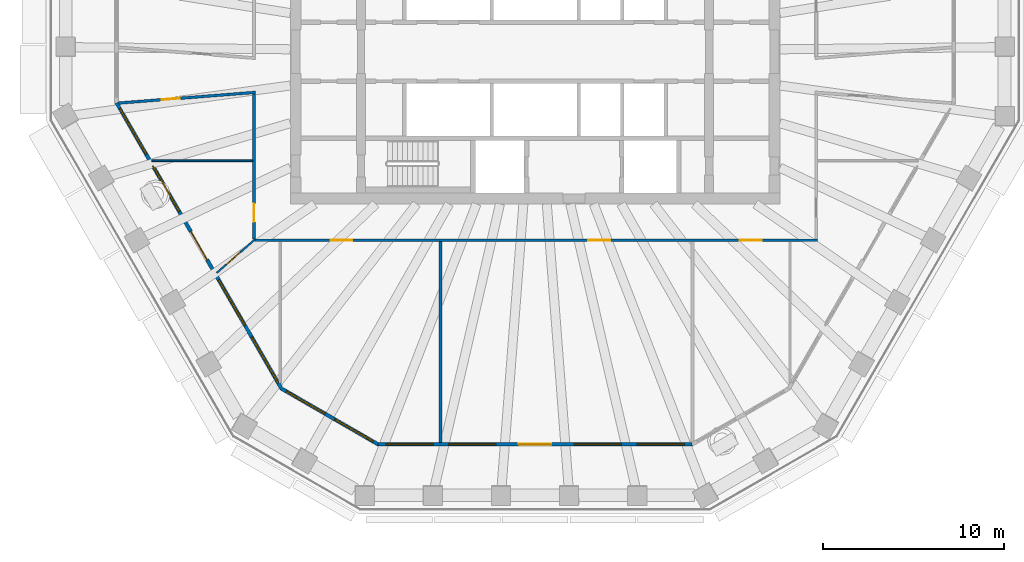
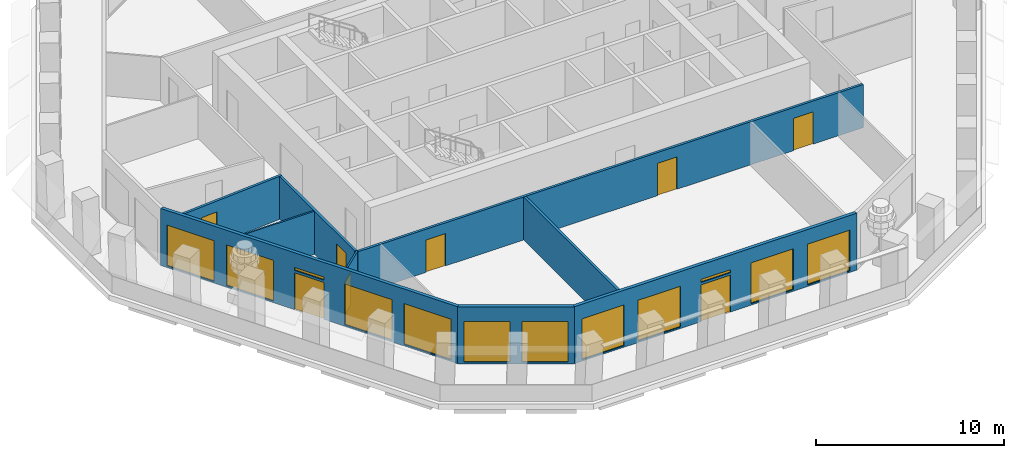
# One storey, part 3 of 12: 12 windows, 9 walls, 8 doors, 20 openings.
"""IFC4 building model written with IfcOpenShell, lengths in metres."""

from ifc_helpers import new_model, si_unit, direction, frame, frame_2d, origin, place, context, subcontext, project, spatial, polyline, rectangle, outline, extrude, material, layer, layer_set, type_object, element, fill, save


model = new_model("IFC4")

# Units and contexts
model_context = context("Model", 3, precision=1e-05, world=origin(), true_north=direction((0.0, 1.0)))
body_context = subcontext(model_context, "Body", "Model", "MODEL_VIEW")
ifc_project = project(units=[si_unit("LENGTHUNIT", "METRE"), si_unit("AREAUNIT", "SQUARE_METRE"), si_unit("VOLUMEUNIT", "CUBIC_METRE"), si_unit("PLANEANGLEUNIT", "RADIAN"), si_unit("MASSUNIT", "GRAM", prefix="KILO")], contexts=[model_context])

# Site, building, storey
site_placement = place(None, origin())
site = spatial("IfcSite", under=ifc_project, at=site_placement, CompositionType="ELEMENT")
building_placement = place(site_placement, origin())
building = spatial("IfcBuilding", under=site, at=building_placement, Name="Frailejon Research Tower", CompositionType="ELEMENT")
storey_placement = place(building_placement, frame((0.0, 0.0, 219.39990234375)))
storey = spatial("IfcBuildingStorey", under=building, at=storey_placement, Name="L47", CompositionType="ELEMENT", Elevation=219.39990234375)

# Wall, opening, door
ifc_material_1 = material(Name="Gypsum board and masonry partition", Category="masonry")
ifc_layer_1 = layer(ifc_material_1, 0.14990234375)
ifc_layer_set_1 = layer_set([ifc_layer_1], Name="Corridor wall EI 60, gypsum on steel studs 150")
wall_type_1 = type_object("IfcWallType", Name="Corridor wall EI 60, gypsum on steel studs 150", PredefinedType="PARTITIONING", material=ifc_layer_set_1)
wall_1_placement = place(storey_placement, frame((-15.5, -10.324951171875, 0.0), z_axis=(0.0, 0.0, 1.0), x_axis=(0.0, 1.0, 0.0)))
wall_1 = element("IfcWall", 1, at=wall_1_placement, inside=storey, type_object=wall_type_1, Name="T:IW:L47:004", PredefinedType="PARTITIONING", context=body_context, shape_type="SweptSolid", body=[
    extrude(rectangle(XDim=7.999755859375, YDim=0.14990234375, at=frame_2d((4.0, 0.0))), origin(), (0.0, 0.0, 1.0), 2.800048828125),
])
opening_1_placement = place(wall_1_placement, frame((0.947265625, 0.0, 0.0)))
opening_1 = element("IfcOpeningElement", 2, at=opening_1_placement, cuts=wall_1, Name="Opening D1969", PredefinedType="OPENING", context=body_context, shape_type="SweptSolid", body=[
    extrude(rectangle(XDim=1.0, YDim=2.10009765625, at=frame_2d((0.5, 1.050048828125))), frame((0.0, 0.0849609375, 0.0), z_axis=(0.0, -1.0, 0.0), x_axis=(1.0, 0.0, 0.0)), (0.0, 0.0, 1.0), 0.169921875),
])
ifc_material_2 = material(Name="Timber door leaf", Category="wood")
door_type_1 = type_object("IfcDoorType", Name="Door single leaf, timber, steel frame 1000", OperationType="NOTDEFINED", PredefinedType="DOOR", material=ifc_material_2)
door_1_placement = place(opening_1_placement, origin())
door_1 = element("IfcDoor", 3, at=door_1_placement, inside=storey, type_object=door_type_1, Name="D1969", OperationType="SINGLE_SWING_LEFT", OverallHeight=2.10009765625, OverallWidth=1.0, PredefinedType="DOOR", context=body_context, shape_type="SweptSolid", body=[
    extrude(rectangle(XDim=1.0, YDim=2.10009765625, at=frame_2d((0.5, 1.050048828125))), frame((0.0, 0.02490234375, 0.0), z_axis=(0.0, -1.0, 0.0), x_axis=(1.0, 0.0, 0.0)), (0.0, 0.0, 1.0), 0.050048828125),
])
fill(opening_1, door_1)

# Wall, openings, doors
wall_2_placement = place(storey_placement, frame((-15.449951171875, -10.39990234375, 0.0), z_axis=(0.0, 0.0, 1.0), x_axis=(1.0, 0.0, 0.0)))
wall_2 = element("IfcWall", 4, at=wall_2_placement, inside=storey, type_object=wall_type_1, Name="T:IW:L47:006", PredefinedType="PARTITIONING", context=body_context, shape_type="SweptSolid", body=[
    extrude(rectangle(XDim=31.02490234375, YDim=0.14990234375, at=frame_2d((15.512451171875, 0.0))), origin(), (0.0, 0.0, 1.0), 2.800048828125),
])
opening_2_placement = place(wall_2_placement, frame((4.172607421875, 0.0, 0.0)))
opening_2 = element("IfcOpeningElement", 5, at=opening_2_placement, cuts=wall_2, Name="Opening D1971", PredefinedType="OPENING", context=body_context, shape_type="SweptSolid", body=[
    extrude(rectangle(XDim=1.199951171875, YDim=2.10009765625, at=frame_2d((0.60009765625, 1.050048828125))), frame((0.0, 0.0849609375, 0.0), z_axis=(0.0, -1.0, 0.0), x_axis=(1.0, 0.0, 0.0)), (0.0, 0.0, 1.0), 0.169921875),
])
opening_3_placement = place(wall_2_placement, frame((18.38623046875, 0.0, 0.0)))
opening_3 = element("IfcOpeningElement", 6, at=opening_3_placement, cuts=wall_2, Name="Opening D1972", PredefinedType="OPENING", context=body_context, shape_type="SweptSolid", body=[
    extrude(rectangle(XDim=1.199951171875, YDim=2.10009765625, at=frame_2d((0.60009765625, 1.050048828125))), frame((0.0, 0.0849609375, 0.0), z_axis=(0.0, -1.0, 0.0), x_axis=(1.0, 0.0, 0.0)), (0.0, 0.0, 1.0), 0.169921875),
])
opening_4_placement = place(wall_2_placement, frame((26.743408203125, 0.0, 0.0)))
opening_4 = element("IfcOpeningElement", 7, at=opening_4_placement, cuts=wall_2, Name="Opening D1973", PredefinedType="OPENING", context=body_context, shape_type="SweptSolid", body=[
    extrude(rectangle(XDim=1.199951171875, YDim=2.10009765625, at=frame_2d((0.60009765625, 1.050048828125))), frame((0.0, 0.0849609375, 0.0), z_axis=(0.0, -1.0, 0.0), x_axis=(1.0, 0.0, 0.0)), (0.0, 0.0, 1.0), 0.169921875),
])
ifc_material_3 = material(Name="Timber door leaf", Category="wood")
door_type_2 = type_object("IfcDoorType", Name="Door laboratory, timber, vision panel 1200", OperationType="NOTDEFINED", PredefinedType="DOOR", material=ifc_material_3)
door_2_placement = place(opening_3_placement, origin())
door_2 = element("IfcDoor", 8, at=door_2_placement, inside=storey, type_object=door_type_2, Name="D1972", OperationType="DOUBLE_DOOR_SINGLE_SWING", OverallHeight=2.10009765625, OverallWidth=1.199951171875, PredefinedType="DOOR", context=body_context, shape_type="SweptSolid", body=[
    extrude(rectangle(XDim=1.199951171875, YDim=2.10009765625, at=frame_2d((0.60009765625, 1.050048828125))), frame((0.0, 0.02490234375, 0.0), z_axis=(0.0, -1.0, 0.0), x_axis=(1.0, 0.0, 0.0)), (0.0, 0.0, 1.0), 0.050048828125),
])
fill(opening_3, door_2)
ifc_material_4 = material(Name="Timber door leaf", Category="wood")
door_type_3 = type_object("IfcDoorType", Name="Door single leaf, timber, steel frame 1200", OperationType="NOTDEFINED", PredefinedType="DOOR", material=ifc_material_4)
door_3_placement = place(opening_2_placement, origin())
door_3 = element("IfcDoor", 9, at=door_3_placement, inside=storey, type_object=door_type_3, Name="D1971", OperationType="DOUBLE_DOOR_SINGLE_SWING", OverallHeight=2.10009765625, OverallWidth=1.199951171875, PredefinedType="DOOR", context=body_context, shape_type="SweptSolid", body=[
    extrude(rectangle(XDim=1.199951171875, YDim=2.10009765625, at=frame_2d((0.60009765625, 1.050048828125))), frame((0.0, 0.02490234375, 0.0), z_axis=(0.0, -1.0, 0.0), x_axis=(1.0, 0.0, 0.0)), (0.0, 0.0, 1.0), 0.050048828125),
])
fill(opening_2, door_3)
door_4_placement = place(opening_4_placement, origin())
door_4 = element("IfcDoor", 10, at=door_4_placement, inside=storey, type_object=door_type_3, Name="D1973", OperationType="DOUBLE_DOOR_SINGLE_SWING", OverallHeight=2.10009765625, OverallWidth=1.199951171875, PredefinedType="DOOR", context=body_context, shape_type="SweptSolid", body=[
    extrude(rectangle(XDim=1.199951171875, YDim=2.10009765625, at=frame_2d((0.60009765625, 1.050048828125))), frame((0.0, 0.02490234375, 0.0), z_axis=(0.0, -1.0, 0.0), x_axis=(1.0, 0.0, 0.0)), (0.0, 0.0, 1.0), 0.050048828125),
])
fill(opening_4, door_4)

# Wall, opening, door
wall_3_placement = place(storey_placement, frame((-22.95849609375, -2.83447265625, 0.0), z_axis=(0.0, 0.0, 1.0), x_axis=(0.996946126236, 0.078092390041, 0.0)))
wall_3 = element("IfcWall", 11, at=wall_3_placement, inside=storey, type_object=wall_type_1, Name="T:IW:L47:008", PredefinedType="PARTITIONING", context=body_context, shape_type="SweptSolid", body=[
    extrude(rectangle(XDim=7.556396484375, YDim=0.14990234375, at=frame_2d((3.7783203125, 0.0))), origin(), (0.0, 0.0, 1.0), 2.800048828125),
])
opening_5_placement = place(wall_3_placement, frame((2.37353515625, 0.0, 0.0)))
opening_5 = element("IfcOpeningElement", 12, at=opening_5_placement, cuts=wall_3, Name="Opening D1968", PredefinedType="OPENING", context=body_context, shape_type="SweptSolid", body=[
    extrude(rectangle(XDim=1.0, YDim=2.10009765625, at=frame_2d((0.5, 1.050048828125))), frame((0.0, 0.0849609375, 0.0), z_axis=(0.0, -1.0, 0.0), x_axis=(1.0, 0.0, 0.0)), (0.0, 0.0, 1.0), 0.169921875),
])
door_5_placement = place(opening_5_placement, origin())
door_5 = element("IfcDoor", 13, at=door_5_placement, inside=storey, type_object=door_type_1, Name="D1968", OperationType="SINGLE_SWING_RIGHT", OverallHeight=2.10009765625, OverallWidth=1.0, PredefinedType="DOOR", context=body_context, shape_type="SweptSolid", body=[
    extrude(rectangle(XDim=1.0, YDim=2.10009765625, at=frame_2d((0.5, 1.050048828125))), frame((0.0, 0.02490234375, 0.0), z_axis=(0.0, -1.0, 0.0), x_axis=(1.0, 0.0, 0.0)), (0.0, 0.0, 1.0), 0.050048828125),
])
fill(opening_5, door_5)

# Walls
ifc_material_5 = material(Name="Gypsum board and masonry partition", Category="masonry")
ifc_layer_2 = layer(ifc_material_5, 0.14990234375)
ifc_layer_set_2 = layer_set([ifc_layer_2], Name="Laboratory partition, blockwork 150")
wall_type_2 = type_object("IfcWallType", Name="Laboratory partition, blockwork 150", PredefinedType="PARTITIONING", material=ifc_layer_set_2)
wall_4_placement = place(storey_placement, frame((-5.210693359375, -21.551513671875, 0.0), z_axis=(0.0, 0.0, 1.0), x_axis=(0.0, 1.0, 0.0)))
element("IfcWall", 14, at=wall_4_placement, inside=storey, type_object=wall_type_2, Name="T:IW:L47:013", PredefinedType="PARTITIONING", context=body_context, shape_type="SweptSolid", body=[
    extrude(rectangle(XDim=11.076416015625, YDim=0.14990234375, at=frame_2d((5.5380859375, 0.0))), origin(), (0.0, 0.0, 1.0), 2.800048828125),
])
ifc_material_6 = material(Name="Gypsum board and masonry partition", Category="masonry")
ifc_layer_3 = layer(ifc_material_6, 0.10009765625)
ifc_layer_set_3 = layer_set([ifc_layer_3], Name="Partition, gypsum on steel studs 100")
wall_type_3 = type_object("IfcWallType", Name="Partition, gypsum on steel studs 100", PredefinedType="PARTITIONING", material=ifc_layer_set_3)
wall_5_placement = place(storey_placement, frame((-21.12451171875, -6.010986328125, 0.0), z_axis=(0.0, 0.0, 1.0), x_axis=(1.0, 0.0, 0.0)))
element("IfcWall", 15, at=wall_5_placement, inside=storey, type_object=wall_type_3, Name="T:IW:L47:018", PredefinedType="PARTITIONING", context=body_context, shape_type="SweptSolid", body=[
    extrude(rectangle(XDim=5.549560546875, YDim=0.10009765625, at=frame_2d((2.77490234375, 0.0))), origin(), (0.0, 0.0, 1.0), 2.800048828125),
])

# Wall, opening, door
wall_6_placement = place(storey_placement, frame((-17.55419921875, -12.195556640625, 0.0), z_axis=(0.0, 0.0, 1.0), x_axis=(0.752894909963, 0.658140755881, 0.0)))
wall_6 = element("IfcWall", 16, at=wall_6_placement, inside=storey, type_object=wall_type_3, Name="T:IW:L47:020", PredefinedType="PARTITIONING", context=body_context, shape_type="SweptSolid", body=[
    extrude(rectangle(XDim=2.80322265625, YDim=0.10009765625, at=frame_2d((1.401611328125, 0.0))), origin(), (0.0, 0.0, 1.0), 2.800048828125),
])
opening_6_placement = place(wall_6_placement, frame((0.7099609375, 0.0, 0.0)))
opening_6 = element("IfcOpeningElement", 17, at=opening_6_placement, cuts=wall_6, Name="Opening D1970", PredefinedType="OPENING", context=body_context, shape_type="SweptSolid", body=[
    extrude(rectangle(XDim=1.0, YDim=2.10009765625, at=frame_2d((0.5, 1.050048828125))), frame((0.0, 0.06005859375, 0.0), z_axis=(0.0, -1.0, 0.0), x_axis=(1.0, 0.0, 0.0)), (0.0, 0.0, 1.0), 0.1201171875),
])
door_6_placement = place(opening_6_placement, origin())
door_6 = element("IfcDoor", 18, at=door_6_placement, inside=storey, type_object=door_type_1, Name="D1970", OperationType="SINGLE_SWING_RIGHT", OverallHeight=2.10009765625, OverallWidth=1.0, PredefinedType="DOOR", context=body_context, shape_type="SweptSolid", body=[
    extrude(rectangle(XDim=1.0, YDim=2.10009765625, at=frame_2d((0.5, 1.050048828125))), frame((0.0, 0.02490234375, 0.0), z_axis=(0.0, -1.0, 0.0), x_axis=(1.0, 0.0, 0.0)), (0.0, 0.0, 1.0), 0.050048828125),
])
fill(opening_6, door_6)

# Wall, openings, door, windows
ifc_material_7 = material(Name="Concrete C40/50 precast window wall panel", Category="concrete")
ifc_layer_4 = layer(ifc_material_7, 0.199951171875)
ifc_layer_set_4 = layer_set([ifc_layer_4], Name="Window wall 200")
wall_type_4 = type_object("IfcWallType", Name="Window wall 200", PredefinedType="SOLIDWALL", material=ifc_layer_set_4)
wall_7_placement = place(storey_placement, frame((-23.07958984375, -2.8251953125, 0.0), z_axis=(0.0, 0.0, 1.0), x_axis=(0.500005605865, -0.866022167212, 0.0)))
wall_7 = element("IfcWall", 19, at=wall_7_placement, inside=storey, type_object=wall_type_4, Name="Exterior wall L47", PredefinedType="SOLIDWALL", context=body_context, shape_type="SweptSolid", body=[
    extrude(outline(polyline([(-0.02685546875, -0.10009765625), (0.986572265625, -0.10009765625), (1.999755859375, -0.10009765625), (3.01318359375, -0.10009765625), (4.0263671875, -0.10009765625), (5.039794921875, -0.10009765625), (6.05322265625, -0.10009765625), (7.06640625, -0.10009765625), (8.079833984375, -0.10009765625), (9.09326171875, -0.10009765625), (10.1064453125, -0.10009765625), (11.119873046875, -0.10009765625), (12.133056640625, -0.10009765625), (13.146484375, -0.10009765625), (14.159912109375, -0.10009765625), (15.173095703125, -0.10009765625), (16.1865234375, -0.10009765625), (17.19970703125, -0.10009765625), (18.213134765625, -0.10009765625), (18.159423828125, 0.10009765625), (17.152099609375, 0.10009765625), (16.144775390625, 0.10009765625), (15.13720703125, 0.10009765625), (14.1298828125, 0.10009765625), (13.12255859375, 0.10009765625), (12.115234375, 0.10009765625), (11.10791015625, 0.10009765625), (10.1005859375, 0.10009765625), (9.09326171875, 0.10009765625), (8.085693359375, 0.10009765625), (7.078369140625, 0.10009765625), (6.071044921875, 0.10009765625), (5.063720703125, 0.10009765625), (4.056396484375, 0.10009765625), (3.048828125, 0.10009765625), (2.04150390625, 0.10009765625), (1.0341796875, 0.10009765625), (0.02685546875, 0.10009765625), (-0.02685546875, -0.10009765625)])), origin(), (0.0, 0.0, 1.0), 3.7001953125),
])
opening_7_placement = place(wall_7_placement, frame((0.36865234375, 0.0, 0.10009765625)))
opening_7 = element("IfcOpeningElement", 20, at=opening_7_placement, cuts=wall_7, Name="Opening W20", PredefinedType="OPENING", context=body_context, shape_type="SweptSolid", body=[
    extrude(rectangle(XDim=2.89990234375, YDim=2.64990234375, at=frame_2d((1.449951171875, 1.324951171875))), frame((0.0, 0.10986328125, 0.0), z_axis=(0.0, -1.0, 0.0), x_axis=(1.0, 0.0, 0.0)), (0.0, 0.0, 1.0), 0.219970703125),
])
opening_8_placement = place(wall_7_placement, frame((4.005859375, 0.0, 0.10009765625)))
opening_8 = element("IfcOpeningElement", 21, at=opening_8_placement, cuts=wall_7, Name="Opening W20", PredefinedType="OPENING", context=body_context, shape_type="SweptSolid", body=[
    extrude(rectangle(XDim=2.89990234375, YDim=2.64990234375, at=frame_2d((1.449951171875, 1.324951171875))), frame((0.0, 0.10986328125, 0.0), z_axis=(0.0, -1.0, 0.0), x_axis=(1.0, 0.0, 0.0)), (0.0, 0.0, 1.0), 0.219970703125),
])
opening_9_placement = place(wall_7_placement, frame((8.193115234375, 0.0, 0.0)))
opening_9 = element("IfcOpeningElement", 22, at=opening_9_placement, cuts=wall_7, Name="Opening LG47-4", PredefinedType="OPENING", context=body_context, shape_type="SweptSolid", body=[
    extrude(rectangle(XDim=1.800048828125, YDim=2.39990234375, at=frame_2d((0.89990234375, 1.199951171875))), frame((0.0, 0.10986328125, 0.0), z_axis=(0.0, -1.0, 0.0), x_axis=(1.0, 0.0, 0.0)), (0.0, 0.0, 1.0), 0.219970703125),
])
opening_10_placement = place(wall_7_placement, frame((8.193115234375, 0.0, 2.550048828125)))
opening_10 = element("IfcOpeningElement", 23, at=opening_10_placement, cuts=wall_7, Name="Opening W19", PredefinedType="OPENING", context=body_context, shape_type="SweptSolid", body=[
    extrude(rectangle(XDim=1.800048828125, YDim=0.199951171875, at=frame_2d((0.89990234375, 0.10009765625))), frame((0.0, 0.10986328125, 0.0), z_axis=(0.0, -1.0, 0.0), x_axis=(1.0, 0.0, 0.0)), (0.0, 0.0, 1.0), 0.219970703125),
])
opening_11_placement = place(wall_7_placement, frame((11.280517578125, 0.0, 0.10009765625)))
opening_11 = element("IfcOpeningElement", 24, at=opening_11_placement, cuts=wall_7, Name="Opening W20", PredefinedType="OPENING", context=body_context, shape_type="SweptSolid", body=[
    extrude(rectangle(XDim=2.89990234375, YDim=2.64990234375, at=frame_2d((1.449951171875, 1.324951171875))), frame((0.0, 0.10986328125, 0.0), z_axis=(0.0, -1.0, 0.0), x_axis=(1.0, 0.0, 0.0)), (0.0, 0.0, 1.0), 0.219970703125),
])
opening_12_placement = place(wall_7_placement, frame((14.917724609375, 0.0, 0.10009765625)))
opening_12 = element("IfcOpeningElement", 25, at=opening_12_placement, cuts=wall_7, Name="Opening W20", PredefinedType="OPENING", context=body_context, shape_type="SweptSolid", body=[
    extrude(rectangle(XDim=2.89990234375, YDim=2.64990234375, at=frame_2d((1.449951171875, 1.324951171875))), frame((0.0, 0.10986328125, 0.0), z_axis=(0.0, -1.0, 0.0), x_axis=(1.0, 0.0, 0.0)), (0.0, 0.0, 1.0), 0.219970703125),
])
ifc_material_8 = material(Name="Aluminium framed glazed door leaf", Category="aluminium")
door_type_4 = type_object("IfcDoorType", Name="Loggia door 1800x2400", OperationType="DOUBLE_DOOR_SINGLE_SWING", PredefinedType="DOOR", material=ifc_material_8)
door_7_placement = place(opening_9_placement, origin())
door_7 = element("IfcDoor", 26, at=door_7_placement, inside=storey, type_object=door_type_4, Name="Door LG47-4", OperationType="DOUBLE_DOOR_SINGLE_SWING", OverallHeight=2.39990234375, OverallWidth=1.800048828125, PredefinedType="DOOR", context=body_context, shape_type="SweptSolid", body=[
    extrude(rectangle(XDim=1.800048828125, YDim=2.39990234375, at=frame_2d((0.89990234375, 1.199951171875))), frame((0.0, 0.02490234375, 0.0), z_axis=(0.0, -1.0, 0.0), x_axis=(1.0, 0.0, 0.0)), (0.0, 0.0, 1.0), 0.050048828125),
])
fill(opening_9, door_7)
ifc_material_9 = material(Name="Aluminium framed double glazing", Category="aluminium")
window_type_1 = type_object("IfcWindowType", Name="Window 1800x200", PartitioningType="SINGLE_PANEL", PredefinedType="WINDOW", material=ifc_material_9)
window_1_placement = place(opening_10_placement, origin())
window_1 = element("IfcWindow", 27, at=window_1_placement, inside=storey, type_object=window_type_1, Name="Window L47", OverallHeight=0.199951171875, OverallWidth=1.800048828125, PartitioningType="SINGLE_PANEL", PredefinedType="WINDOW", context=body_context, shape_type="SweptSolid", body=[
    extrude(rectangle(XDim=1.800048828125, YDim=0.199951171875, at=frame_2d((0.89990234375, 0.10009765625))), frame((0.0, 0.030029296875, 0.0), z_axis=(0.0, -1.0, 0.0), x_axis=(1.0, 0.0, 0.0)), (0.0, 0.0, 1.0), 0.06005859375),
])
fill(opening_10, window_1)
ifc_material_10 = material(Name="Aluminium framed double glazing", Category="aluminium")
window_type_2 = type_object("IfcWindowType", Name="Window 2900x2650", PartitioningType="SINGLE_PANEL", PredefinedType="WINDOW", material=ifc_material_10)
window_2_placement = place(opening_7_placement, origin())
window_2 = element("IfcWindow", 28, at=window_2_placement, inside=storey, type_object=window_type_2, Name="Window L47", OverallHeight=2.64990234375, OverallWidth=2.89990234375, PartitioningType="SINGLE_PANEL", PredefinedType="WINDOW", context=body_context, shape_type="SweptSolid", body=[
    extrude(rectangle(XDim=2.89990234375, YDim=2.64990234375, at=frame_2d((1.449951171875, 1.324951171875))), frame((0.0, 0.030029296875, 0.0), z_axis=(0.0, -1.0, 0.0), x_axis=(1.0, 0.0, 0.0)), (0.0, 0.0, 1.0), 0.06005859375),
])
fill(opening_7, window_2)
window_3_placement = place(opening_8_placement, origin())
window_3 = element("IfcWindow", 29, at=window_3_placement, inside=storey, type_object=window_type_2, Name="Window L47", OverallHeight=2.64990234375, OverallWidth=2.89990234375, PartitioningType="SINGLE_PANEL", PredefinedType="WINDOW", context=body_context, shape_type="SweptSolid", body=[
    extrude(rectangle(XDim=2.89990234375, YDim=2.64990234375, at=frame_2d((1.449951171875, 1.324951171875))), frame((0.0, 0.030029296875, 0.0), z_axis=(0.0, -1.0, 0.0), x_axis=(1.0, 0.0, 0.0)), (0.0, 0.0, 1.0), 0.06005859375),
])
fill(opening_8, window_3)
window_4_placement = place(opening_11_placement, origin())
window_4 = element("IfcWindow", 30, at=window_4_placement, inside=storey, type_object=window_type_2, Name="Window L47", OverallHeight=2.64990234375, OverallWidth=2.89990234375, PartitioningType="SINGLE_PANEL", PredefinedType="WINDOW", context=body_context, shape_type="SweptSolid", body=[
    extrude(rectangle(XDim=2.89990234375, YDim=2.64990234375, at=frame_2d((1.449951171875, 1.324951171875))), frame((0.0, 0.030029296875, 0.0), z_axis=(0.0, -1.0, 0.0), x_axis=(1.0, 0.0, 0.0)), (0.0, 0.0, 1.0), 0.06005859375),
])
fill(opening_11, window_4)
window_5_placement = place(opening_12_placement, origin())
window_5 = element("IfcWindow", 31, at=window_5_placement, inside=storey, type_object=window_type_2, Name="Window L47", OverallHeight=2.64990234375, OverallWidth=2.89990234375, PartitioningType="SINGLE_PANEL", PredefinedType="WINDOW", context=body_context, shape_type="SweptSolid", body=[
    extrude(rectangle(XDim=2.89990234375, YDim=2.64990234375, at=frame_2d((1.449951171875, 1.324951171875))), frame((0.0, 0.030029296875, 0.0), z_axis=(0.0, -1.0, 0.0), x_axis=(1.0, 0.0, 0.0)), (0.0, 0.0, 1.0), 0.06005859375),
])
fill(opening_12, window_5)

# Wall, openings, windows
wall_8_placement = place(storey_placement, frame((-13.986328125, -18.574951171875, 0.0), z_axis=(0.0, 0.0, 1.0), x_axis=(0.866029647142, -0.499992650217, 0.0)))
wall_8 = element("IfcWall", 32, at=wall_8_placement, inside=storey, type_object=wall_type_4, Name="Exterior wall L47", PredefinedType="SOLIDWALL", context=body_context, shape_type="SweptSolid", body=[
    extrude(outline(polyline([(-0.02685546875, -0.10009765625), (1.007568359375, -0.10009765625), (2.0419921875, -0.10009765625), (3.076416015625, -0.10009765625), (4.11083984375, -0.10009765625), (5.145263671875, -0.10009765625), (6.1796875, -0.10009765625), (6.1259765625, 0.10009765625), (5.109375, 0.10009765625), (4.093017578125, 0.10009765625), (3.076416015625, 0.10009765625), (2.059814453125, 0.10009765625), (1.04345703125, 0.10009765625), (0.02685546875, 0.10009765625), (-0.02685546875, -0.10009765625)])), origin(), (0.0, 0.0, 1.0), 3.7001953125),
])
opening_13_placement = place(wall_8_placement, frame((0.313232421875, 0.0, 0.10009765625)))
opening_13 = element("IfcOpeningElement", 33, at=opening_13_placement, cuts=wall_8, Name="Opening W17", PredefinedType="OPENING", context=body_context, shape_type="SweptSolid", body=[
    extrude(rectangle(XDim=2.449951171875, YDim=2.64990234375, at=frame_2d((1.22509765625, 1.324951171875))), frame((0.0, 0.10986328125, 0.0), z_axis=(0.0, -1.0, 0.0), x_axis=(1.0, 0.0, 0.0)), (0.0, 0.0, 1.0), 0.219970703125),
])
opening_14_placement = place(wall_8_placement, frame((3.3896484375, 0.0, 0.10009765625)))
opening_14 = element("IfcOpeningElement", 34, at=opening_14_placement, cuts=wall_8, Name="Opening W17", PredefinedType="OPENING", context=body_context, shape_type="SweptSolid", body=[
    extrude(rectangle(XDim=2.449951171875, YDim=2.64990234375, at=frame_2d((1.22509765625, 1.324951171875))), frame((0.0, 0.10986328125, 0.0), z_axis=(0.0, -1.0, 0.0), x_axis=(1.0, 0.0, 0.0)), (0.0, 0.0, 1.0), 0.219970703125),
])
ifc_material_11 = material(Name="Aluminium framed double glazing", Category="aluminium")
window_type_3 = type_object("IfcWindowType", Name="Window 2450x2650", PartitioningType="SINGLE_PANEL", PredefinedType="WINDOW", material=ifc_material_11)
window_6_placement = place(opening_13_placement, origin())
window_6 = element("IfcWindow", 35, at=window_6_placement, inside=storey, type_object=window_type_3, Name="Window L47", OverallHeight=2.64990234375, OverallWidth=2.449951171875, PartitioningType="SINGLE_PANEL", PredefinedType="WINDOW", context=body_context, shape_type="SweptSolid", body=[
    extrude(rectangle(XDim=2.449951171875, YDim=2.64990234375, at=frame_2d((1.22509765625, 1.324951171875))), frame((0.0, 0.030029296875, 0.0), z_axis=(0.0, -1.0, 0.0), x_axis=(1.0, 0.0, 0.0)), (0.0, 0.0, 1.0), 0.06005859375),
])
fill(opening_13, window_6)
window_7_placement = place(opening_14_placement, origin())
window_7 = element("IfcWindow", 36, at=window_7_placement, inside=storey, type_object=window_type_3, Name="Window L47", OverallHeight=2.64990234375, OverallWidth=2.449951171875, PartitioningType="SINGLE_PANEL", PredefinedType="WINDOW", context=body_context, shape_type="SweptSolid", body=[
    extrude(rectangle(XDim=2.449951171875, YDim=2.64990234375, at=frame_2d((1.22509765625, 1.324951171875))), frame((0.0, 0.030029296875, 0.0), z_axis=(0.0, -1.0, 0.0), x_axis=(1.0, 0.0, 0.0)), (0.0, 0.0, 1.0), 0.06005859375),
])
fill(opening_14, window_7)

# Wall, openings, door, windows
wall_9_placement = place(storey_placement, frame((-8.65771484375, -21.6513671875, 0.0), z_axis=(0.0, 0.0, 1.0), x_axis=(1.0, 0.0, 0.0)))
wall_9 = element("IfcWall", 37, at=wall_9_placement, inside=storey, type_object=wall_type_4, Name="Exterior wall L47", PredefinedType="SOLIDWALL", context=body_context, shape_type="SweptSolid", body=[
    extrude(outline(polyline([(-0.02685546875, -0.10009765625), (0.994873046875, -0.10009765625), (2.0166015625, -0.10009765625), (3.038330078125, -0.10009765625), (4.06005859375, -0.10009765625), (5.081787109375, -0.10009765625), (6.103515625, -0.10009765625), (7.125244140625, -0.10009765625), (8.14697265625, -0.10009765625), (9.16845703125, -0.10009765625), (10.190185546875, -0.10009765625), (11.2119140625, -0.10009765625), (12.233642578125, -0.10009765625), (13.25537109375, -0.10009765625), (14.277099609375, -0.10009765625), (15.298828125, -0.10009765625), (16.320556640625, -0.10009765625), (17.34228515625, -0.10009765625), (17.28857421875, 0.10009765625), (16.273193359375, 0.10009765625), (15.2578125, 0.10009765625), (14.242431640625, 0.10009765625), (13.22705078125, 0.10009765625), (12.211669921875, 0.10009765625), (11.1962890625, 0.10009765625), (10.180908203125, 0.10009765625), (9.16552734375, 0.10009765625), (8.14990234375, 0.10009765625), (7.134521484375, 0.10009765625), (6.119140625, 0.10009765625), (5.103759765625, 0.10009765625), (4.08837890625, 0.10009765625), (3.072998046875, 0.10009765625), (2.0576171875, 0.10009765625), (1.042236328125, 0.10009765625), (0.02685546875, 0.10009765625), (-0.02685546875, -0.10009765625)])), origin(), (0.0, 0.0, 1.0), 3.7001953125),
])
opening_15_placement = place(wall_9_placement, frame((0.431640625, 0.0, 0.10009765625)))
opening_15 = element("IfcOpeningElement", 38, at=opening_15_placement, cuts=wall_9, Name="Opening W18", PredefinedType="OPENING", context=body_context, shape_type="SweptSolid", body=[
    extrude(rectangle(XDim=2.60009765625, YDim=2.64990234375, at=frame_2d((1.300048828125, 1.324951171875))), frame((0.0, 0.10986328125, 0.0), z_axis=(0.0, -1.0, 0.0), x_axis=(1.0, 0.0, 0.0)), (0.0, 0.0, 1.0), 0.219970703125),
])
opening_16_placement = place(wall_9_placement, frame((3.894775390625, 0.0, 0.10009765625)))
opening_16 = element("IfcOpeningElement", 39, at=opening_16_placement, cuts=wall_9, Name="Opening W18", PredefinedType="OPENING", context=body_context, shape_type="SweptSolid", body=[
    extrude(rectangle(XDim=2.60009765625, YDim=2.64990234375, at=frame_2d((1.300048828125, 1.324951171875))), frame((0.0, 0.10986328125, 0.0), z_axis=(0.0, -1.0, 0.0), x_axis=(1.0, 0.0, 0.0)), (0.0, 0.0, 1.0), 0.219970703125),
])
opening_17_placement = place(wall_9_placement, frame((7.7578125, 0.0, 0.0)))
opening_17 = element("IfcOpeningElement", 40, at=opening_17_placement, cuts=wall_9, Name="Opening LG47-5", PredefinedType="OPENING", context=body_context, shape_type="SweptSolid", body=[
    extrude(rectangle(XDim=1.800048828125, YDim=2.39990234375, at=frame_2d((0.89990234375, 1.199951171875))), frame((0.0, 0.10986328125, 0.0), z_axis=(0.0, -1.0, 0.0), x_axis=(1.0, 0.0, 0.0)), (0.0, 0.0, 1.0), 0.219970703125),
])
opening_18_placement = place(wall_9_placement, frame((7.7578125, 0.0, 2.550048828125)))
opening_18 = element("IfcOpeningElement", 41, at=opening_18_placement, cuts=wall_9, Name="Opening W19", PredefinedType="OPENING", context=body_context, shape_type="SweptSolid", body=[
    extrude(rectangle(XDim=1.800048828125, YDim=0.199951171875, at=frame_2d((0.89990234375, 0.10009765625))), frame((0.0, 0.10986328125, 0.0), z_axis=(0.0, -1.0, 0.0), x_axis=(1.0, 0.0, 0.0)), (0.0, 0.0, 1.0), 0.219970703125),
])
opening_19_placement = place(wall_9_placement, frame((10.82080078125, 0.0, 0.10009765625)))
opening_19 = element("IfcOpeningElement", 42, at=opening_19_placement, cuts=wall_9, Name="Opening W18", PredefinedType="OPENING", context=body_context, shape_type="SweptSolid", body=[
    extrude(rectangle(XDim=2.60009765625, YDim=2.64990234375, at=frame_2d((1.300048828125, 1.324951171875))), frame((0.0, 0.10986328125, 0.0), z_axis=(0.0, -1.0, 0.0), x_axis=(1.0, 0.0, 0.0)), (0.0, 0.0, 1.0), 0.219970703125),
])
opening_20_placement = place(wall_9_placement, frame((14.283935546875, 0.0, 0.10009765625)))
opening_20 = element("IfcOpeningElement", 43, at=opening_20_placement, cuts=wall_9, Name="Opening W18", PredefinedType="OPENING", context=body_context, shape_type="SweptSolid", body=[
    extrude(rectangle(XDim=2.60009765625, YDim=2.64990234375, at=frame_2d((1.300048828125, 1.324951171875))), frame((0.0, 0.10986328125, 0.0), z_axis=(0.0, -1.0, 0.0), x_axis=(1.0, 0.0, 0.0)), (0.0, 0.0, 1.0), 0.219970703125),
])
door_8_placement = place(opening_17_placement, origin())
door_8 = element("IfcDoor", 44, at=door_8_placement, inside=storey, type_object=door_type_4, Name="Door LG47-5", OperationType="DOUBLE_DOOR_SINGLE_SWING", OverallHeight=2.39990234375, OverallWidth=1.800048828125, PredefinedType="DOOR", context=body_context, shape_type="SweptSolid", body=[
    extrude(rectangle(XDim=1.800048828125, YDim=2.39990234375, at=frame_2d((0.89990234375, 1.199951171875))), frame((0.0, 0.02490234375, 0.0), z_axis=(0.0, -1.0, 0.0), x_axis=(1.0, 0.0, 0.0)), (0.0, 0.0, 1.0), 0.050048828125),
])
fill(opening_17, door_8)
window_8_placement = place(opening_18_placement, origin())
window_8 = element("IfcWindow", 45, at=window_8_placement, inside=storey, type_object=window_type_1, Name="Window L47", OverallHeight=0.199951171875, OverallWidth=1.800048828125, PartitioningType="SINGLE_PANEL", PredefinedType="WINDOW", context=body_context, shape_type="SweptSolid", body=[
    extrude(rectangle(XDim=1.800048828125, YDim=0.199951171875, at=frame_2d((0.89990234375, 0.10009765625))), frame((0.0, 0.030029296875, 0.0), z_axis=(0.0, -1.0, 0.0), x_axis=(1.0, 0.0, 0.0)), (0.0, 0.0, 1.0), 0.06005859375),
])
fill(opening_18, window_8)
ifc_material_12 = material(Name="Aluminium framed double glazing", Category="aluminium")
window_type_4 = type_object("IfcWindowType", Name="Window 2600x2650", PartitioningType="SINGLE_PANEL", PredefinedType="WINDOW", material=ifc_material_12)
window_9_placement = place(opening_15_placement, origin())
window_9 = element("IfcWindow", 46, at=window_9_placement, inside=storey, type_object=window_type_4, Name="Window L47", OverallHeight=2.64990234375, OverallWidth=2.60009765625, PartitioningType="SINGLE_PANEL", PredefinedType="WINDOW", context=body_context, shape_type="SweptSolid", body=[
    extrude(rectangle(XDim=2.60009765625, YDim=2.64990234375, at=frame_2d((1.300048828125, 1.324951171875))), frame((0.0, 0.030029296875, 0.0), z_axis=(0.0, -1.0, 0.0), x_axis=(1.0, 0.0, 0.0)), (0.0, 0.0, 1.0), 0.06005859375),
])
fill(opening_15, window_9)
window_10_placement = place(opening_16_placement, origin())
window_10 = element("IfcWindow", 47, at=window_10_placement, inside=storey, type_object=window_type_4, Name="Window L47", OverallHeight=2.64990234375, OverallWidth=2.60009765625, PartitioningType="SINGLE_PANEL", PredefinedType="WINDOW", context=body_context, shape_type="SweptSolid", body=[
    extrude(rectangle(XDim=2.60009765625, YDim=2.64990234375, at=frame_2d((1.300048828125, 1.324951171875))), frame((0.0, 0.030029296875, 0.0), z_axis=(0.0, -1.0, 0.0), x_axis=(1.0, 0.0, 0.0)), (0.0, 0.0, 1.0), 0.06005859375),
])
fill(opening_16, window_10)
window_11_placement = place(opening_19_placement, origin())
window_11 = element("IfcWindow", 48, at=window_11_placement, inside=storey, type_object=window_type_4, Name="Window L47", OverallHeight=2.64990234375, OverallWidth=2.60009765625, PartitioningType="SINGLE_PANEL", PredefinedType="WINDOW", context=body_context, shape_type="SweptSolid", body=[
    extrude(rectangle(XDim=2.60009765625, YDim=2.64990234375, at=frame_2d((1.300048828125, 1.324951171875))), frame((0.0, 0.030029296875, 0.0), z_axis=(0.0, -1.0, 0.0), x_axis=(1.0, 0.0, 0.0)), (0.0, 0.0, 1.0), 0.06005859375),
])
fill(opening_19, window_11)
window_12_placement = place(opening_20_placement, origin())
window_12 = element("IfcWindow", 49, at=window_12_placement, inside=storey, type_object=window_type_4, Name="Window L47", OverallHeight=2.64990234375, OverallWidth=2.60009765625, PartitioningType="SINGLE_PANEL", PredefinedType="WINDOW", context=body_context, shape_type="SweptSolid", body=[
    extrude(rectangle(XDim=2.60009765625, YDim=2.64990234375, at=frame_2d((1.300048828125, 1.324951171875))), frame((0.0, 0.030029296875, 0.0), z_axis=(0.0, -1.0, 0.0), x_axis=(1.0, 0.0, 0.0)), (0.0, 0.0, 1.0), 0.06005859375),
])
fill(opening_20, window_12)

save(model, "model.ifc")
